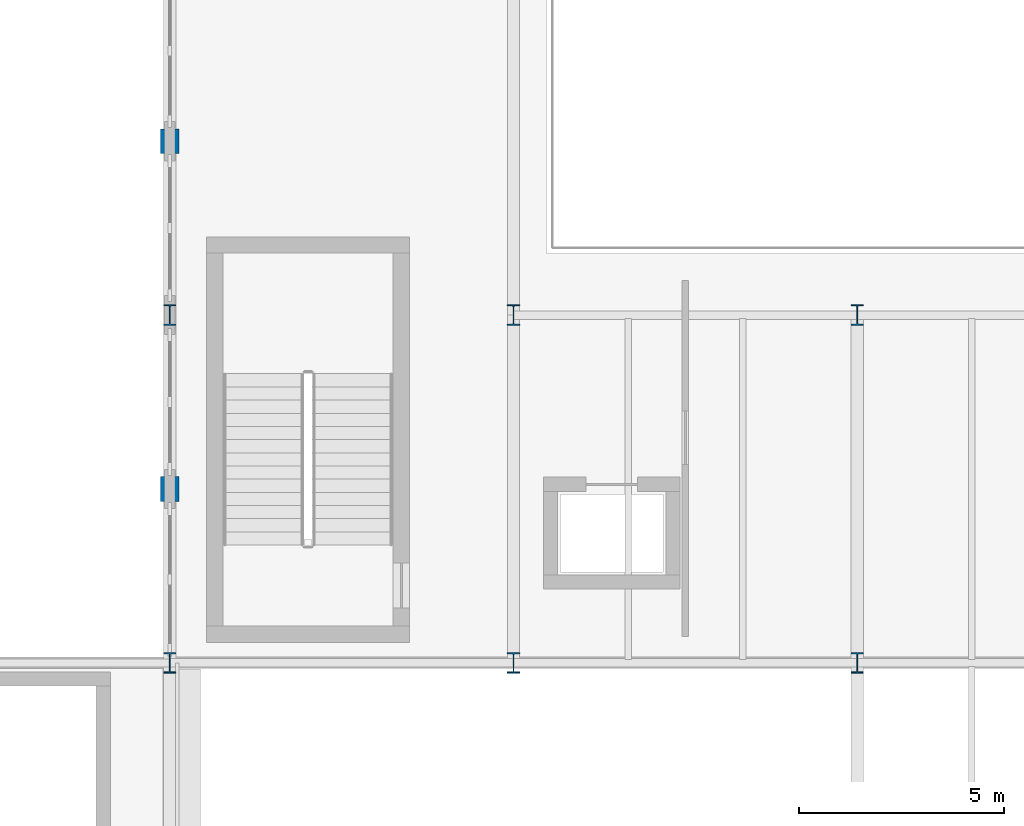
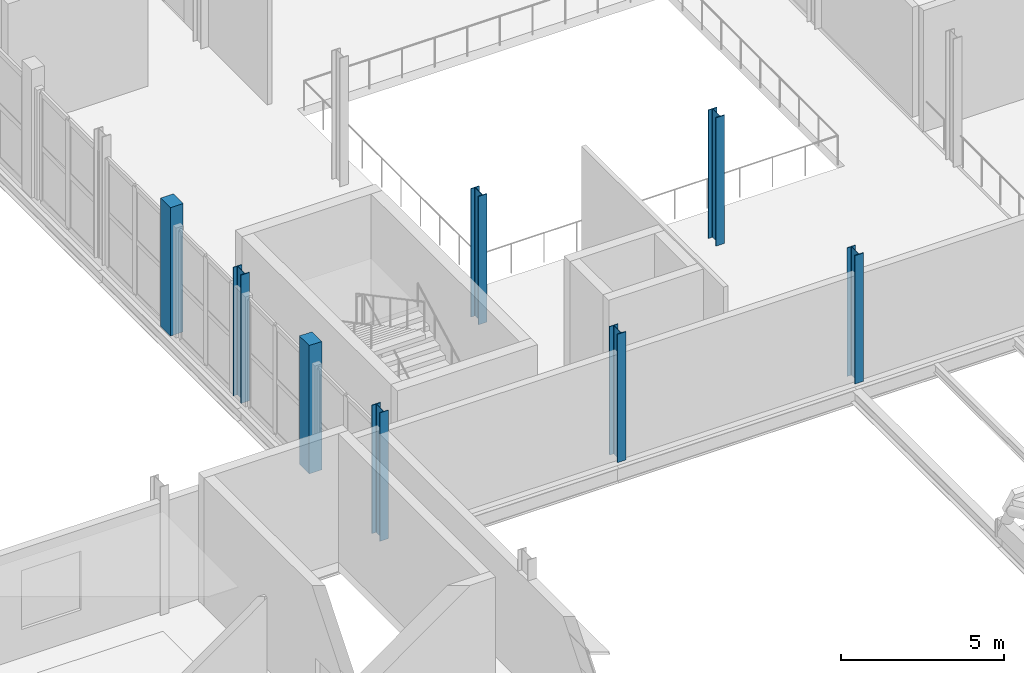
# One storey, part 5 of 63: 8 columns.
"""IFC4 building model written with IfcOpenShell, lengths in metres."""

from ifc_helpers import new_model, si_unit, direction, frame, origin, origin_2d, place, context, subcontext, project, spatial, rectangle, i_section, extrude, material, material_profile, profile_set, type_object, element, save


model = new_model("IFC4")

# Units and contexts
model_context = context("Model", 3, precision=1e-05, world=origin(), true_north=direction((0.0, 1.0)))
body_context = subcontext(model_context, "Body", "Model", "MODEL_VIEW")
ifc_project = project(units=[si_unit("LENGTHUNIT", "METRE"), si_unit("AREAUNIT", "SQUARE_METRE"), si_unit("VOLUMEUNIT", "CUBIC_METRE"), si_unit("PLANEANGLEUNIT", "RADIAN"), si_unit("MASSUNIT", "GRAM", prefix="KILO")], contexts=[model_context])

# Site, building, storey
site_placement = place(None, origin())
site = spatial("IfcSite", under=ifc_project, at=site_placement, CompositionType="ELEMENT")
building_placement = place(site_placement, origin())
building = spatial("IfcBuilding", under=site, at=building_placement, Name="Sefraquen Railside Congress Hotel", CompositionType="ELEMENT")
storey_placement = place(building_placement, frame((0.0, 0.0, 11.39990234375)))
storey = spatial("IfcBuildingStorey", under=building, at=storey_placement, Name="L02", CompositionType="ELEMENT", Elevation=11.39990234375)

# Columns
ifc_material_1 = material(Name="Steel S355JR", Category="steel")
ifc_material_profile_1 = material_profile(ifc_material_1, i_section(OverallWidth=0.300048828125, OverallDepth=0.5, WebThickness=0.014404296875, FlangeThickness=0.028076171875, FilletRadius=0.027099609375, at=origin_2d()), Name="HEB 500")
ifc_profile_set_1 = profile_set([ifc_material_profile_1], Name="Steel S355JR")
column_type_1 = type_object("IfcColumnType", Name="TC-HEB-500", PredefinedType="COLUMN", material=ifc_profile_set_1)
for number, where, z_axis, x_axis, name in (
    (1, (103.199951171875, 54.0, 0.0), (0.0, 0.0, 1.0), (1.0, 0.0, 0.0), "Structural column 14-G L02"),
    (2, (103.199951171875, 62.5, 0.0), (0.0, 0.0, 1.0), (1.0, 0.0, 0.0), "Structural column 14-H L02"),
    (3, (111.60009765625, 54.0, 0.0), (0.0, 0.0, 1.0), (1.0, 0.0, 0.0), "Structural column 15-G L02"),
    (4, (111.60009765625, 62.5, 0.0), (0.0, 0.0, 1.0), (1.0, 0.0, 0.0), "Structural column 15-H L02"),
    (5, (120.0, 54.0, 0.0), (0.0, 0.0, 1.0), (1.0, 0.0, 0.0), "Structural column 16-G L02"),
    (6, (120.0, 62.5, 0.0), (0.0, 0.0, 1.0), (1.0, 0.0, 0.0), "Structural column 16-H L02"),
):
    element("IfcColumn", number, at=place(storey_placement, frame(where, z_axis=z_axis, x_axis=x_axis)), inside=storey, type_object=column_type_1, Name=name, PredefinedType="COLUMN", context=body_context, shape_type="SweptSolid", body=[
        extrude(i_section(OverallWidth=0.300048828125, OverallDepth=0.5, WebThickness=0.014404296875, FlangeThickness=0.028076171875, FilletRadius=0.027099609375, at=origin_2d()), origin(), (0.0, 0.0, 1.0), 4.800048828125),
    ])
ifc_material_2 = material(Name="Concrete C50/60", Category="concrete")
ifc_material_profile_2 = material_profile(ifc_material_2, rectangle(XDim=0.449951171875, YDim=0.60009765625, at=origin_2d()), Name="RC 600x450")
ifc_profile_set_2 = profile_set([ifc_material_profile_2], Name="Concrete C50/60")
column_type_2 = type_object("IfcColumnType", Name="TC-PIL-600", PredefinedType="PILASTER", material=ifc_profile_set_2)
for number, where, z_axis, x_axis, name in (
    (7, (103.199951171875, 58.25, 0.0), (0.0, 0.0, 1.0), (1.0, 0.0, 0.0), "Courtyard limestone pilaster CPIL-E1 L02"),
    (8, (103.199951171875, 66.75, 0.0), (0.0, 0.0, 1.0), (1.0, 0.0, 0.0), "Courtyard limestone pilaster CPIL-E2 L02"),
):
    element("IfcColumn", number, at=place(storey_placement, frame(where, z_axis=z_axis, x_axis=x_axis)), inside=storey, type_object=column_type_2, Name=name, PredefinedType="PILASTER", context=body_context, shape_type="SweptSolid", body=[
        extrude(rectangle(XDim=0.449951171875, YDim=0.60009765625, at=origin_2d()), origin(), (0.0, 0.0, 1.0), 4.800048828125),
    ])

save(model, "model.ifc")
